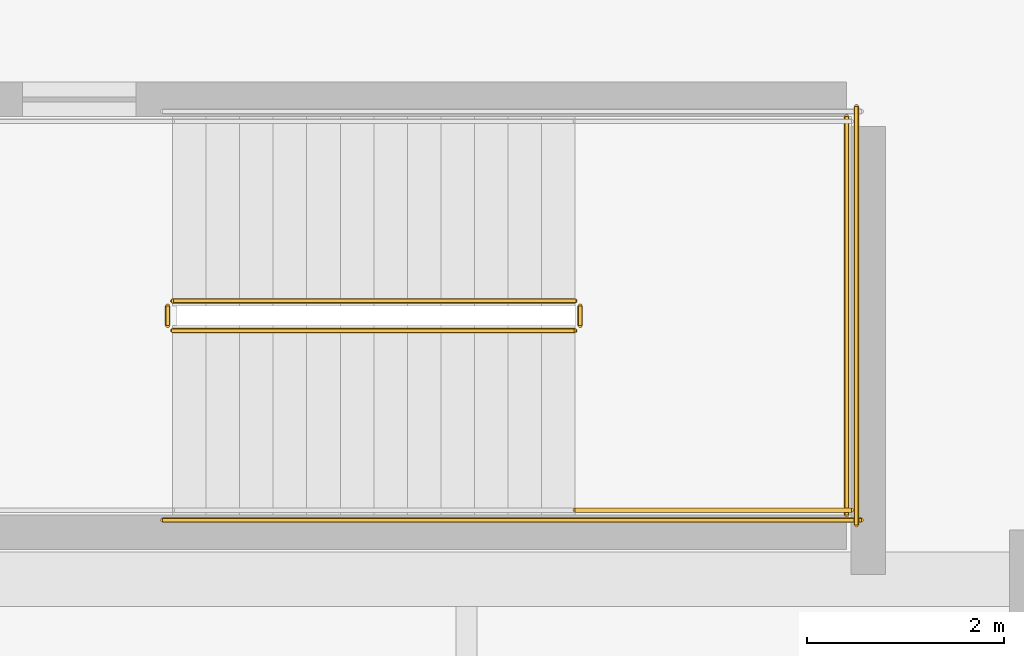
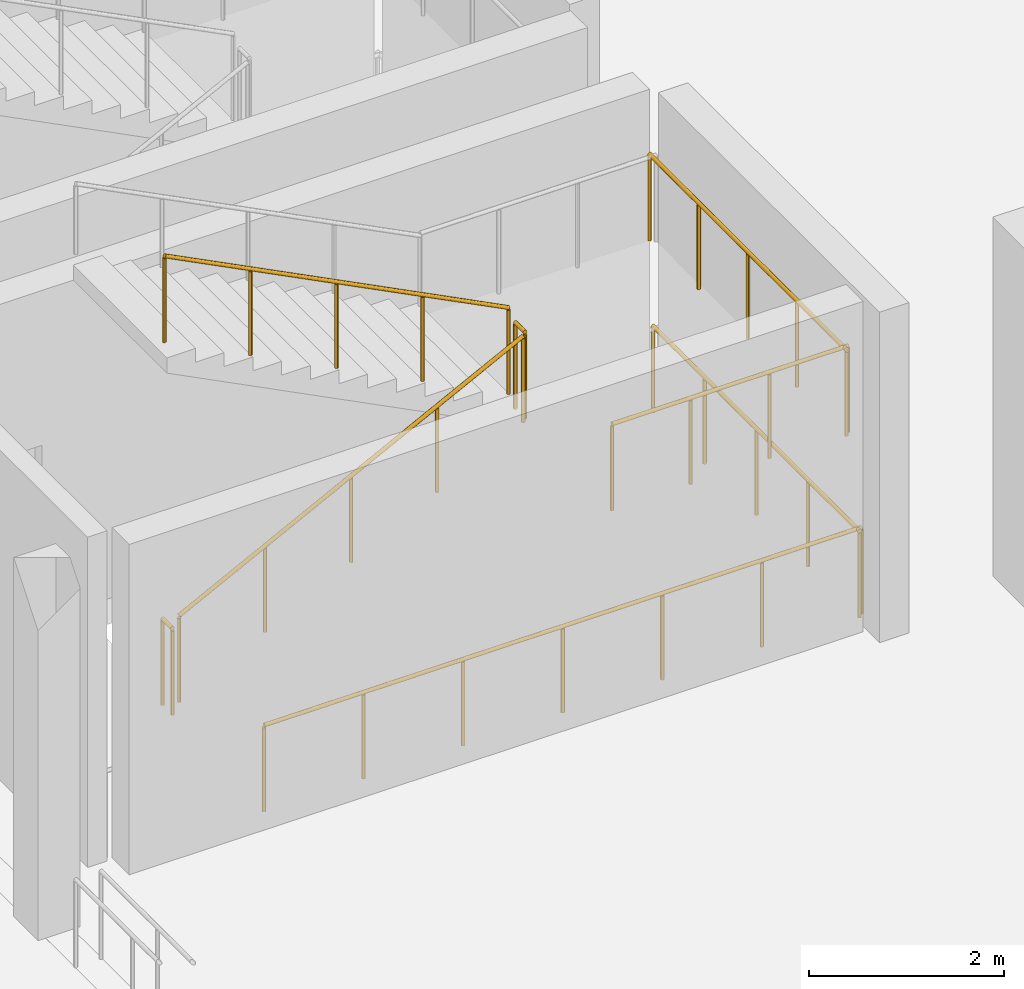
# One storey, part 100 of 118: 8 railings.
"""IFC4 building model written with IfcOpenShell, lengths in metres."""

from ifc_helpers import new_model, si_unit, direction, frame, origin, origin_2d, place, context, subcontext, project, spatial, circle, extrude, material, type_object, element, save


model = new_model("IFC4")

# Units and contexts
model_context = context("Model", 3, precision=1e-05, world=origin(), true_north=direction((0.0, 1.0)))
body_context = subcontext(model_context, "Body", "Model", "MODEL_VIEW")
ifc_project = project(units=[si_unit("LENGTHUNIT", "METRE"), si_unit("AREAUNIT", "SQUARE_METRE"), si_unit("VOLUMEUNIT", "CUBIC_METRE"), si_unit("PLANEANGLEUNIT", "RADIAN"), si_unit("MASSUNIT", "GRAM", prefix="KILO")], contexts=[model_context])

# Site, building, storey
site_placement = place(None, origin())
site = spatial("IfcSite", under=ifc_project, at=site_placement, CompositionType="ELEMENT")
building_placement = place(site_placement, origin())
building = spatial("IfcBuilding", under=site, at=building_placement, Name="Luwafu Chhajja Arena", CompositionType="ELEMENT")
storey_placement = place(building_placement, frame((0.0, 0.0, 10.199951171875)))
storey = spatial("IfcBuildingStorey", under=building, at=storey_placement, Name="L02", CompositionType="ELEMENT", Elevation=10.199951171875)

# Railings
ifc_material = material(Name="Stainless steel balustrade", Category="steel")
railing_type = type_object("IfcRailingType", Name="Stair and Terrace Guard Balustrade 1100", PredefinedType="BALUSTRADE", material=ifc_material)
railing_1_placement = place(storey_placement, frame((37.02001953125, 46.52001953125, 0.173095703125)))
element("IfcRailing", 1, at=railing_1_placement, inside=storey, type_object=railing_type, Name="L02 ST-09 stair guard 1", PredefinedType="BALUSTRADE", context=body_context, shape_type="SweptSolid", body=[
    extrude(circle(Radius=0.02392578125, at=origin_2d()), frame((0.0, 0.0, 1.076171875), z_axis=(0.891183106714, 0.0, 0.453643770274), x_axis=(0.0, 1.0, 0.0)), (0.0, 0.0, 1.0), 4.578369140625),
    extrude(circle(Radius=0.02099609375, at=origin_2d()), origin(), (0.0, 0.0, 1.0), 1.052001953125),
    extrude(circle(Radius=0.02099609375, at=origin_2d()), frame((1.02001953125, 0.0, 0.519287109375)), (0.0, 0.0, 1.0), 1.052001953125),
    extrude(circle(Radius=0.02099609375, at=origin_2d()), frame((2.0400390625, 0.0, 1.03857421875)), (0.0, 0.0, 1.0), 1.052001953125),
    extrude(circle(Radius=0.02099609375, at=origin_2d()), frame((3.06005859375, 0.0, 1.5576171875)), (0.0, 0.0, 1.0), 1.052001953125),
    extrude(circle(Radius=0.02099609375, at=origin_2d()), frame((4.080078125, 0.0, 2.076904296875)), (0.0, 0.0, 1.0), 1.052001953125),
])
railing_2_placement = place(storey_placement, frame((41.14990234375, 46.570068359375, 2.25)))
element("IfcRailing", 2, at=railing_2_placement, inside=storey, type_object=railing_type, Name="L02 ST-09 stair guard 2", PredefinedType="BALUSTRADE", context=body_context, shape_type="SweptSolid", body=[
    extrude(circle(Radius=0.02392578125, at=origin_2d()), frame((0.0, 0.0, 1.076171875), z_axis=(0.0, 1.0, 0.0), x_axis=(-1.0, 0.0, 0.0)), (0.0, 0.0, 1.0), 0.199951171875),
    extrude(circle(Radius=0.02099609375, at=origin_2d()), origin(), (0.0, 0.0, 1.0), 1.052001953125),
    extrude(circle(Radius=0.02099609375, at=origin_2d()), frame((0.0, 0.199951171875, 0.0)), (0.0, 0.0, 1.0), 1.052001953125),
])
railing_3_placement = place(storey_placement, frame((41.10009765625, 44.699951171875, 2.25)))
element("IfcRailing", 3, at=railing_3_placement, inside=storey, type_object=railing_type, Name="L02 ST-09 stair guard 3", PredefinedType="BALUSTRADE", context=body_context, shape_type="SweptSolid", body=[
    extrude(circle(Radius=0.02392578125, at=origin_2d()), frame((0.0, 0.0, 1.076171875), z_axis=(1.0, 0.0, 0.0), x_axis=(0.0, 1.0, 0.0)), (0.0, 0.0, 1.0), 2.7998046875),
    extrude(circle(Radius=0.02099609375, at=origin_2d()), origin(), (0.0, 0.0, 1.0), 1.052001953125),
    extrude(circle(Radius=0.02099609375, at=origin_2d()), frame((0.933349609375, 0.0, 0.0)), (0.0, 0.0, 1.0), 1.052001953125),
    extrude(circle(Radius=0.02099609375, at=origin_2d()), frame((1.866455078125, 0.0, 0.0)), (0.0, 0.0, 1.0), 1.052001953125),
    extrude(circle(Radius=0.02099609375, at=origin_2d()), frame((2.7998046875, 0.0, 0.0)), (0.0, 0.0, 1.0), 1.052001953125),
])
railing_4_placement = place(storey_placement, frame((43.85009765625, 44.64990234375, 2.25)))
element("IfcRailing", 4, at=railing_4_placement, inside=storey, type_object=railing_type, Name="L02 ST-09 stair guard 5", PredefinedType="BALUSTRADE", context=body_context, shape_type="SweptSolid", body=[
    extrude(circle(Radius=0.02392578125, at=origin_2d()), frame((0.0, 0.0, 1.076171875), z_axis=(0.0, 1.0, 0.0), x_axis=(-1.0, 0.0, 0.0)), (0.0, 0.0, 1.0), 4.0400390625),
    extrude(circle(Radius=0.02099609375, at=origin_2d()), origin(), (0.0, 0.0, 1.0), 1.052001953125),
    extrude(circle(Radius=0.02099609375, at=origin_2d()), frame((0.0, 1.010009765625, 0.0)), (0.0, 0.0, 1.0), 1.052001953125),
    extrude(circle(Radius=0.02099609375, at=origin_2d()), frame((0.0, 2.02001953125, 0.0)), (0.0, 0.0, 1.0), 1.052001953125),
    extrude(circle(Radius=0.02099609375, at=origin_2d()), frame((0.0, 3.030029296875, 0.0)), (0.0, 0.0, 1.0), 1.052001953125),
    extrude(circle(Radius=0.02099609375, at=origin_2d()), frame((0.0, 4.0400390625, 0.0)), (0.0, 0.0, 1.0), 1.052001953125),
])
railing_5_placement = place(storey_placement, frame((41.10009765625, 46.820068359375, 2.423095703125)))
element("IfcRailing", 5, at=railing_5_placement, inside=storey, type_object=railing_type, Name="L02 ST-09 stair guard 6", PredefinedType="BALUSTRADE", context=body_context, shape_type="SweptSolid", body=[
    extrude(circle(Radius=0.02392578125, at=origin_2d()), frame((0.0, 0.0, 1.076171875), z_axis=(-0.891183106714, 0.0, 0.453643770274), x_axis=(0.0, -1.0, 0.0)), (0.0, 0.0, 1.0), 4.578369140625),
    extrude(circle(Radius=0.02099609375, at=origin_2d()), origin(), (0.0, 0.0, 1.0), 1.052001953125),
    extrude(circle(Radius=0.02099609375, at=origin_2d()), frame((-1.02001953125, 0.0, 0.519287109375)), (0.0, 0.0, 1.0), 1.052001953125),
    extrude(circle(Radius=0.02099609375, at=origin_2d()), frame((-2.0400390625, 0.0, 1.03857421875)), (0.0, 0.0, 1.0), 1.052001953125),
    extrude(circle(Radius=0.02099609375, at=origin_2d()), frame((-3.06005859375, 0.0, 1.5576171875)), (0.0, 0.0, 1.0), 1.052001953125),
    extrude(circle(Radius=0.02099609375, at=origin_2d()), frame((-4.080078125, 0.0, 2.076904296875)), (0.0, 0.0, 1.0), 1.052001953125),
])
railing_6_placement = place(storey_placement, frame((36.969970703125, 46.570068359375, 0.0)))
element("IfcRailing", 6, at=railing_6_placement, inside=storey, type_object=railing_type, Name="L02 ST-09 stair guard 7", PredefinedType="BALUSTRADE", context=body_context, shape_type="SweptSolid", body=[
    extrude(circle(Radius=0.02392578125, at=origin_2d()), frame((0.0, 0.0, 1.076171875), z_axis=(0.0, 1.0, 0.0), x_axis=(-1.0, 0.0, 0.0)), (0.0, 0.0, 1.0), 0.199951171875),
    extrude(circle(Radius=0.02099609375, at=origin_2d()), origin(), (0.0, 0.0, 1.0), 1.052001953125),
    extrude(circle(Radius=0.02099609375, at=origin_2d()), frame((0.0, 0.199951171875, 0.0)), (0.0, 0.0, 1.0), 1.052001953125),
])
railing_7_placement = place(storey_placement, frame((36.919921875, 44.60009765625, 0.0)))
element("IfcRailing", 7, at=railing_7_placement, inside=storey, type_object=railing_type, Name="L02 ST-09 stair guard 10", PredefinedType="BALUSTRADE", context=body_context, shape_type="SweptSolid", body=[
    extrude(circle(Radius=0.02392578125, at=origin_2d()), frame((0.0, 0.0, 1.076171875), z_axis=(1.0, 0.0, 0.0), x_axis=(0.0, 1.0, 0.0)), (0.0, 0.0, 1.0), 7.080078125),
    extrude(circle(Radius=0.02099609375, at=origin_2d()), origin(), (0.0, 0.0, 1.0), 1.052001953125),
    extrude(circle(Radius=0.02099609375, at=origin_2d()), frame((1.179931640625, 0.0, 0.0)), (0.0, 0.0, 1.0), 1.052001953125),
    extrude(circle(Radius=0.02099609375, at=origin_2d()), frame((2.360107421875, 0.0, 0.0)), (0.0, 0.0, 1.0), 1.052001953125),
    extrude(circle(Radius=0.02099609375, at=origin_2d()), frame((3.5400390625, 0.0, 0.0)), (0.0, 0.0, 1.0), 1.052001953125),
    extrude(circle(Radius=0.02099609375, at=origin_2d()), frame((4.719970703125, 0.0, 0.0)), (0.0, 0.0, 1.0), 1.052001953125),
    extrude(circle(Radius=0.02099609375, at=origin_2d()), frame((5.900146484375, 0.0, 0.0)), (0.0, 0.0, 1.0), 1.052001953125),
    extrude(circle(Radius=0.02099609375, at=origin_2d()), frame((7.080078125, 0.0, 0.0)), (0.0, 0.0, 1.0), 1.052001953125),
])
railing_8_placement = place(storey_placement, frame((43.949951171875, 44.550048828125, 0.0)))
element("IfcRailing", 8, at=railing_8_placement, inside=storey, type_object=railing_type, Name="L02 ST-09 stair guard 12", PredefinedType="BALUSTRADE", context=body_context, shape_type="SweptSolid", body=[
    extrude(circle(Radius=0.02392578125, at=origin_2d()), frame((0.0, 0.0, 1.076171875), z_axis=(0.0, 1.0, 0.0), x_axis=(-1.0, 0.0, 0.0)), (0.0, 0.0, 1.0), 4.239990234375),
    extrude(circle(Radius=0.02099609375, at=origin_2d()), origin(), (0.0, 0.0, 1.0), 1.052001953125),
    extrude(circle(Radius=0.02099609375, at=origin_2d()), frame((0.0, 1.06005859375, 0.0)), (0.0, 0.0, 1.0), 1.052001953125),
    extrude(circle(Radius=0.02099609375, at=origin_2d()), frame((0.0, 2.1201171875, 0.0)), (0.0, 0.0, 1.0), 1.052001953125),
    extrude(circle(Radius=0.02099609375, at=origin_2d()), frame((0.0, 3.179931640625, 0.0)), (0.0, 0.0, 1.0), 1.052001953125),
    extrude(circle(Radius=0.02099609375, at=origin_2d()), frame((0.0, 4.239990234375, 0.0)), (0.0, 0.0, 1.0), 1.052001953125),
])

save(model, "model.ifc")
